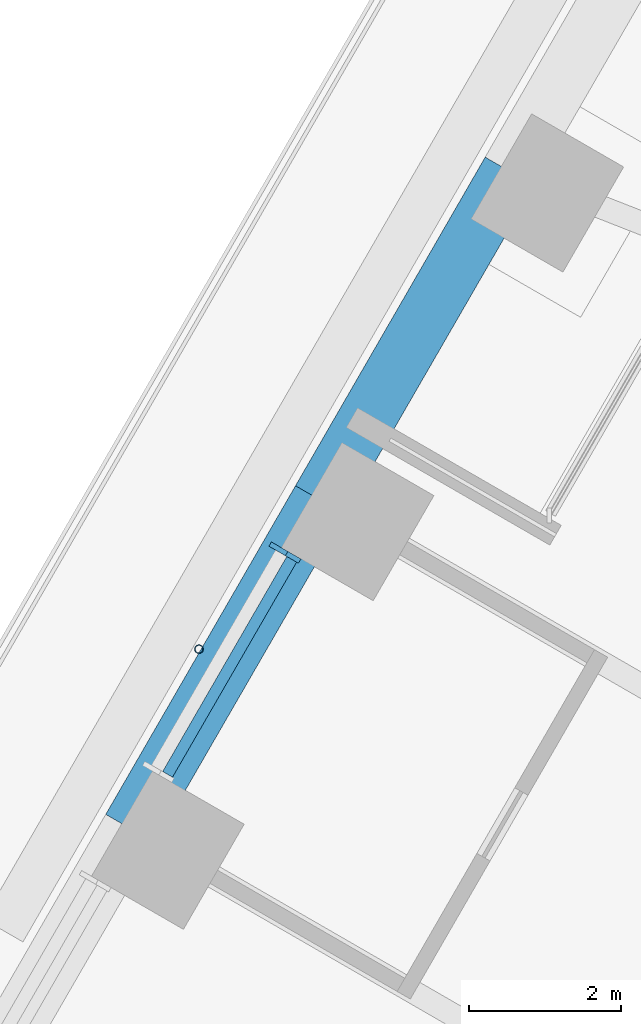
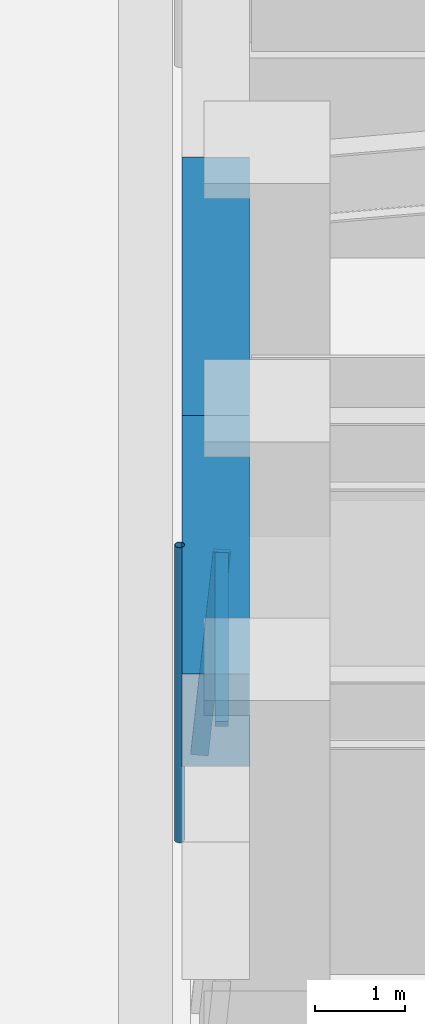
# One storey, part 7 of 24: 3 members, 2 beams, 1 element without a shape of its own.
"""IFC4 building model written with IfcOpenShell, lengths in metres."""

from ifc_helpers import new_model, si_unit, direction, frame, origin, origin_2d, place, context, subcontext, project, spatial, rectangle, hollow_circle, extrude, material, material_profile, profile_set, type_object, element, aggregate, save


model = new_model("IFC4")

# Units and contexts
model_context = context("Model", 3, precision=1e-05, world=origin(), true_north=direction((0.0, 1.0)))
body_context = subcontext(model_context, "Body", "Model", "MODEL_VIEW")
ifc_project = project(units=[si_unit("LENGTHUNIT", "METRE"), si_unit("AREAUNIT", "SQUARE_METRE"), si_unit("VOLUMEUNIT", "CUBIC_METRE"), si_unit("PLANEANGLEUNIT", "RADIAN"), si_unit("MASSUNIT", "GRAM", prefix="KILO")], contexts=[model_context])

# Site, building, storey
site_placement = place(None, origin())
site = spatial("IfcSite", under=ifc_project, at=site_placement, CompositionType="ELEMENT")
building_placement = place(site_placement, origin())
building = spatial("IfcBuilding", under=site, at=building_placement, Name="Tarfa Lantern Tower", CompositionType="ELEMENT")
storey_placement = place(building_placement, frame((0.0, 0.0, 174.10009765625)))
storey = spatial("IfcBuildingStorey", under=building, at=storey_placement, Name="L39", CompositionType="ELEMENT", Elevation=174.10009765625)

# Curtain wall, members
ifc_material_1 = material(Name="Aluminium framed curtain wall", Category="aluminium")
curtain_wall_type = type_object("IfcCurtainWallType", Name="CW2 CANTED GLAZING MID ZONE 2750", PredefinedType="USERDEFINED", material=ifc_material_1)
curtain_wall_placement = place(storey_placement, origin())
curtain_wall = element("IfcCurtainWall", 1, at=curtain_wall_placement, inside=storey, type_object=curtain_wall_type, Name="CW2 NWB L39", ObjectType="CURTAIN WALL", PredefinedType="USERDEFINED")
ifc_material_2 = material(Name="Aluminium mullion", Category="aluminium")
ifc_material_profile_1 = material_profile(ifc_material_2, rectangle(XDim=0.06494140625, YDim=0.199951171875, at=origin_2d()), Name="AL MULLION 65x200")
ifc_profile_set_1 = profile_set([ifc_material_profile_1], Name="Aluminium mullion")
member_type_1 = type_object("IfcMemberType", Name="CWM1 MULLION 65x200", PredefinedType="MULLION", material=ifc_profile_set_1)
member_1_placement = place(storey_placement, frame((-30.111328125, 10.645751953125, 0.0), z_axis=(0.078422950161, -0.045267813396, 0.995891894715), x_axis=(0.499919672301, 0.866071776036, 0.0)))
member_1 = element("IfcMember", 2, at=member_1_placement, type_object=member_type_1, Name="CW2 mullion 1", PredefinedType="MULLION", context=body_context, shape_type="SweptSolid", body=[
    extrude(rectangle(XDim=0.06494140625, YDim=0.199951171875, at=origin_2d()), origin(), (0.0, 0.0, 1.0), 2.76123046875),
])
ifc_material_3 = material(Name="Aluminium transom", Category="aluminium")
ifc_material_profile_2 = material_profile(ifc_material_3, rectangle(XDim=0.14990234375, YDim=0.06494140625, at=origin_2d()), Name="AL TRANSOM 150x65")
ifc_profile_set_2 = profile_set([ifc_material_profile_2], Name="Aluminium transom")
member_type_2 = type_object("IfcMemberType", Name="CWT1 TRANSOM 150x65", PredefinedType="USERDEFINED", material=ifc_profile_set_2)
member_2_placement = place(storey_placement, frame((-29.91357421875, 10.494140625, 2.71728515625), z_axis=(-0.500012937857, -0.86601793398, 0.0), x_axis=(0.86601793398, -0.500012937857, 0.0)))
member_2 = element("IfcMember", 3, at=member_2_placement, type_object=member_type_2, Name="CW2 transom 1.2", ObjectType="TRANSOM", PredefinedType="USERDEFINED", context=body_context, shape_type="SweptSolid", body=[
    extrude(rectangle(XDim=0.14990234375, YDim=0.06494140625, at=origin_2d()), origin(), (0.0, 0.0, 1.0), 3.27392578125),
])
aggregate(curtain_wall, [member_1, member_2])

# Beams
ifc_material_4 = material(Name="Concrete C80/95", Category="concrete")
ifc_material_profile_3 = material_profile(ifc_material_4, rectangle(XDim=0.75, YDim=1.25, at=origin_2d()), Name="RC 750x1250")
ifc_profile_set_3 = profile_set([ifc_material_profile_3], Name="Concrete C80/95")
beam_type = type_object("IfcBeamType", Name="EB2 RC 750x1250", PredefinedType="SPANDREL", material=ifc_profile_set_3)
for number, where, z_axis, x_axis, name in (
    (4, (-27.037353515625, 15.610107421875, 3.375), (-0.499964603504, -0.866045838996, 0.0), (0.866045838996, -0.499964603504, 0.0), "Edge beam NW3"),
    (5, (-29.5390625, 11.276611328125, 3.375), (-0.500022324899, -0.866012514114, 0.0), (0.866012514114, -0.500022324899, 0.0), "Edge beam NW4"),
):
    element("IfcBeam", number, at=place(storey_placement, frame(where, z_axis=z_axis, x_axis=x_axis)), inside=storey, type_object=beam_type, Name=name, PredefinedType="SPANDREL", context=body_context, shape_type="SweptSolid", body=[
        extrude(rectangle(XDim=0.75, YDim=1.25, at=origin_2d()), origin(), (0.0, 0.0, 1.0), 5.003662109375),
    ])

# Member
ifc_material_5 = material(Name="Steel S355", Category="steel")
ifc_material_profile_4 = material_profile(ifc_material_5, hollow_circle(Radius=0.05712890625, WallThickness=0.00634765625, at=origin_2d()), Name="CHS114.3x6.3")
ifc_profile_set_4 = profile_set([ifc_material_profile_4], Name="Steel S355")
member_type_3 = type_object("IfcMemberType", Name="TR1 GREEN WALL TRELLIS CHS114.3x6.3", PredefinedType="USERDEFINED", material=ifc_profile_set_4)
member_3_placement = place(storey_placement, frame((-31.136474609375, 9.31005859375, 0.0), z_axis=(0.0, 0.0, 1.0), x_axis=(1.0, 0.0, 0.0)))
element("IfcMember", 6, at=member_3_placement, inside=storey, type_object=member_type_3, Name="Trellis post NW 2", ObjectType="TRELLIS", PredefinedType="USERDEFINED", context=body_context, shape_type="SweptSolid", body=[
    extrude(hollow_circle(Radius=0.05712890625, WallThickness=0.00634765625, at=origin_2d()), origin(), (0.0, 0.0, 1.0), 4.0),
])

save(model, "model.ifc")
